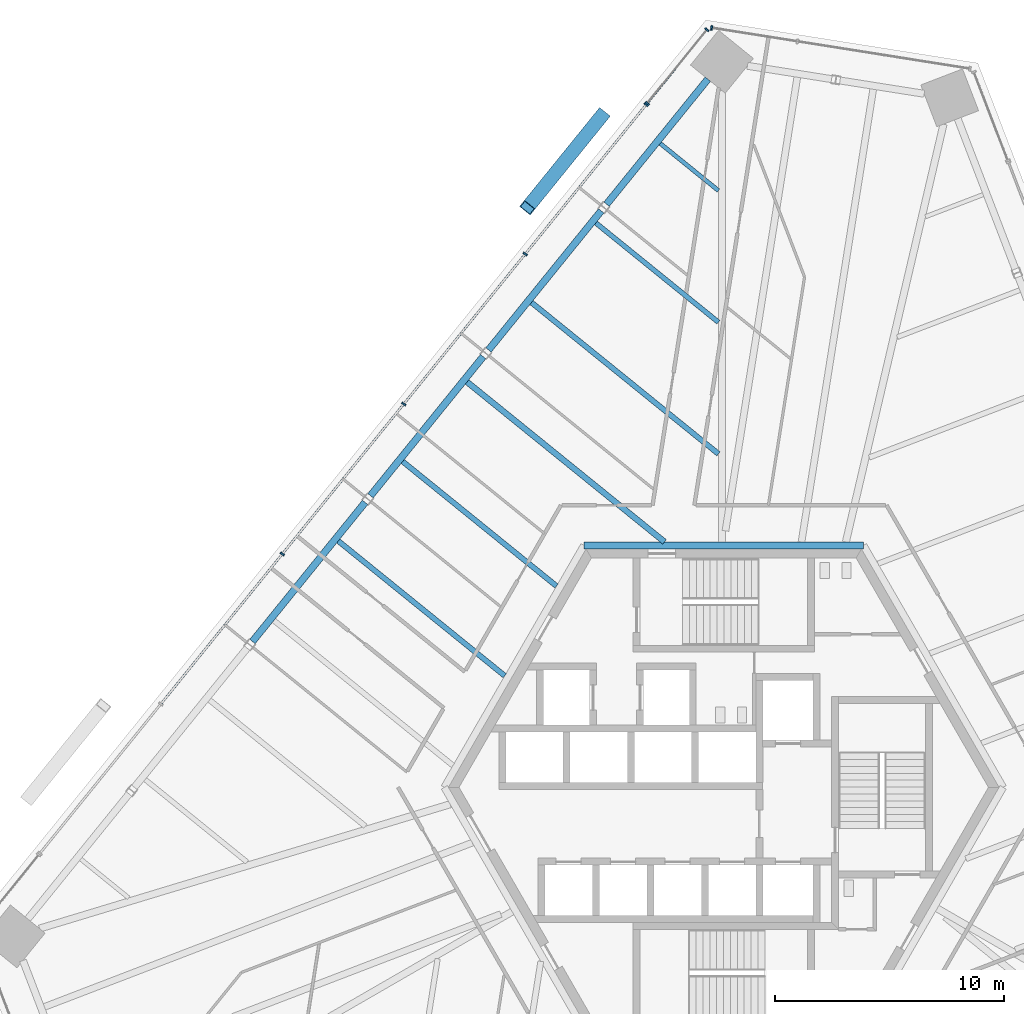
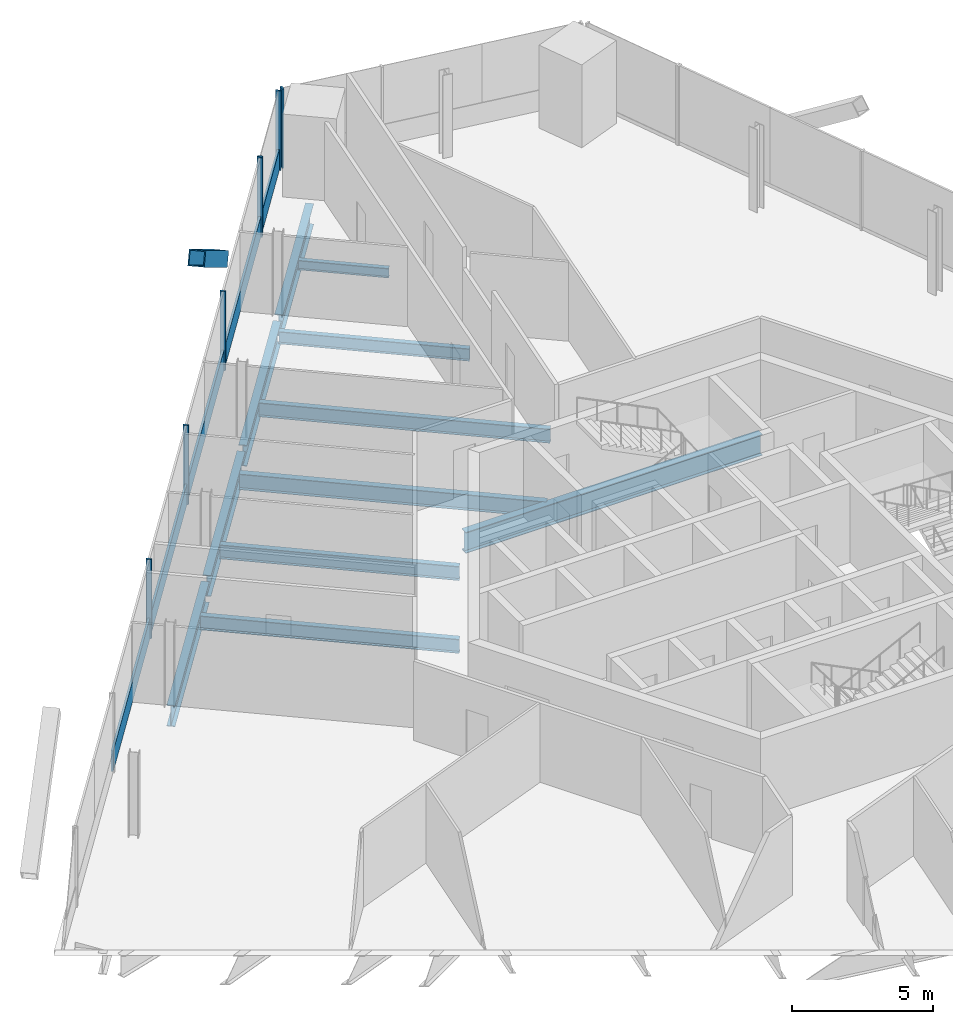
# One storey, part 8 of 19: 13 members, 11 beams, 3 elements without a shape of their own.
"""IFC4 building model written with IfcOpenShell, lengths in metres."""

import ifcopenshell
import ifcopenshell.guid

model = None  # the IFC model being written
_history = None  # IfcOwnerHistory: only IFC2X3 demands one
_inside = {}  # id of a spatial element -> (the spatial element, [elements in it])
_under = {}  # id of a project, library or spatial element -> (it, [spatial elements below it])
_declared = {}  # id of a project -> (the project, [libraries it declares])
_typed = {}  # id of a type object -> (the type object, [elements of that type])
_made_of = {}  # id of a material, layer set ... -> (it, [elements and type objects made of it])


def new_model(schema):
    """Start an empty IFC model of exactly this schema.

    Asked for "IFC4X3", IfcOpenShell would pick the latest addendum, in which some entities
    have other attributes; the version numbers below select the first issue.
    IFC2X3 requires an IfcOwnerHistory on every rooted entity: one is made here for all.
    """
    global model, _history
    if schema == "IFC4X3":
        model = ifcopenshell.file(schema_version=(4, 3, 0, 0))
    else:
        model = ifcopenshell.file(schema=schema)
    _inside.clear()
    _under.clear()
    _declared.clear()
    _typed.clear()
    _made_of.clear()
    _history = None
    if model.schema == "IFC2X3":
        org = make("IfcOrganization", Name="unknown")
        user = make(
            "IfcPersonAndOrganization",
            ThePerson=make("IfcPerson", FamilyName="unknown"),
            TheOrganization=org,
        )
        app = make(
            "IfcApplication",
            ApplicationDeveloper=org,
            Version="unknown",
            ApplicationFullName="unknown",
            ApplicationIdentifier="unknown",
        )
        _history = make(
            "IfcOwnerHistory",
            OwningUser=user,
            OwningApplication=app,
            ChangeAction="ADDED",
            CreationDate=0,
        )
    return model


def make(cls, **values):
    """One entity of the class cls with the attributes given. An attribute that is None is left unset."""
    return model.create_entity(
        cls, **{name: value for name, value in values.items() if value is not None}
    )


def rooted(cls, **values):
    """An entity with a GlobalId (a new one), such as an element, a storey or a relation."""
    return make(cls, GlobalId=ifcopenshell.guid.new(), OwnerHistory=_history, **values)


def si_unit(unit_type, name, prefix=None):
    """IfcSIUnit, for example si_unit("LENGTHUNIT", "METRE", prefix="MILLI")."""
    return make("IfcSIUnit", UnitType=unit_type, Prefix=prefix, Name=name)


def assignment(units):
    """IfcUnitAssignment: the units of a project."""
    return None if units is None else make("IfcUnitAssignment", Units=units)


def point(xyz):
    """IfcCartesianPoint."""
    return None if xyz is None else make("IfcCartesianPoint", Coordinates=xyz)


def direction(xyz):
    """IfcDirection."""
    return None if xyz is None else make("IfcDirection", DirectionRatios=xyz)


def frame(location, z_axis=None, x_axis=None):
    """IfcAxis2Placement3D, a coordinate frame: its origin and axes. An axis left out is left unset."""
    return make(
        "IfcAxis2Placement3D",
        Location=point(location),
        Axis=direction(z_axis),
        RefDirection=direction(x_axis),
    )


def frame_2d(location, x_axis=None):
    """IfcAxis2Placement2D, a coordinate frame in the plane: its origin and x axis."""
    return make(
        "IfcAxis2Placement2D", Location=point(location), RefDirection=direction(x_axis)
    )


def origin():
    """The frame at (0, 0, 0) with its axes left unset."""
    return frame((0.0, 0.0, 0.0))


def origin_2d():
    """The frame at (0, 0) in the plane with its x axis left unset."""
    return frame_2d((0.0, 0.0))


def place(relative_to, where):
    """IfcLocalPlacement: puts the frame where relative to a parent placement (None: the world)."""
    return make(
        "IfcLocalPlacement", PlacementRelTo=relative_to, RelativePlacement=where
    )


def context(
    kind, dimensions, precision=None, world=None, true_north=None, identifier=None
):
    """IfcGeometricRepresentationContext, for example the 3D "Model" context."""
    return make(
        "IfcGeometricRepresentationContext",
        ContextIdentifier=identifier,
        ContextType=kind,
        CoordinateSpaceDimension=dimensions,
        Precision=precision,
        WorldCoordinateSystem=world,
        TrueNorth=true_north,
    )


def subcontext(parent, identifier, kind, view, scale=None):
    """IfcGeometricRepresentationSubContext, for example "Body" below "Model"."""
    return make(
        "IfcGeometricRepresentationSubContext",
        ContextIdentifier=identifier,
        ContextType=kind,
        ParentContext=parent,
        TargetScale=scale,
        TargetView=view,
    )


def project(units=None, contexts=None):
    """IfcProject with its units and contexts."""
    return rooted(
        "IfcProject",
        Name="project",
        RepresentationContexts=contexts,
        UnitsInContext=assignment(units),
    )


def spatial(cls, under=None, at=None, **own):
    """A site, building, storey or space (cls), placed at a placement, below another one or the project."""
    s = rooted(cls, ObjectPlacement=at, **own)
    if under is not None:
        _under.setdefault(under.id(), (under, []))[1].append(s)
    return s


def profile(cls, at=None, kind="AREA", **sizes):
    """A parametric profile (cls). Its sizes go by their IFC names, for example OverallWidth=200.0."""
    return make(cls, ProfileType=kind, Position=at, **sizes)


def rectangle(**sizes):
    """IfcRectangleProfileDef."""
    return profile("IfcRectangleProfileDef", **sizes)


def hollow_rectangle(**sizes):
    """IfcRectangleHollowProfileDef."""
    return profile("IfcRectangleHollowProfileDef", **sizes)


def i_section(**sizes):
    """IfcIShapeProfileDef."""
    return profile("IfcIShapeProfileDef", **sizes)


def extrude(swept, where, along, depth):
    """IfcExtrudedAreaSolid: the profile swept, set in the frame where, extruded along a direction by depth."""
    return make(
        "IfcExtrudedAreaSolid",
        SweptArea=swept,
        Position=where,
        ExtrudedDirection=direction(along),
        Depth=depth,
    )


def shape(context_of_items, identifier, shape_type, items):
    """IfcShapeRepresentation: the items that make up one representation, for example the "Body"."""
    return make(
        "IfcShapeRepresentation",
        ContextOfItems=context_of_items,
        RepresentationIdentifier=identifier,
        RepresentationType=shape_type,
        Items=items,
    )


def source(mapping_origin, context_of_items, identifier, shape_type, items):
    """IfcRepresentationMap: a shape defined once, which mapped items show again and again."""
    return make(
        "IfcRepresentationMap",
        MappingOrigin=mapping_origin,
        MappedRepresentation=shape(context_of_items, identifier, shape_type, items),
    )


def transform(
    local_origin,
    x_axis=None,
    y_axis=None,
    z_axis=None,
    scale=None,
    scale2=None,
    scale3=None,
    uniform=True,
):
    """IfcCartesianTransformationOperator3D, or its non-uniform kind. x_axis, y_axis, z_axis: its Axis1, 2, 3."""
    if uniform:
        return make(
            "IfcCartesianTransformationOperator3D",
            Axis1=direction(x_axis),
            Axis2=direction(y_axis),
            LocalOrigin=point(local_origin),
            Scale=scale,
            Axis3=direction(z_axis),
        )
    return make(
        "IfcCartesianTransformationOperator3DnonUniform",
        Axis1=direction(x_axis),
        Axis2=direction(y_axis),
        LocalOrigin=point(local_origin),
        Scale=scale,
        Axis3=direction(z_axis),
        Scale2=scale2,
        Scale3=scale3,
    )


def mapped(mapping_source, mapping_target):
    """IfcMappedItem: shows the shape of a source again, moved by a transform."""
    return make(
        "IfcMappedItem", MappingSource=mapping_source, MappingTarget=mapping_target
    )


def material(Name=None, Category=None):
    """IfcMaterial."""
    return make("IfcMaterial", Name=Name, Category=Category)


def material_profile(
    of_material, cross_section, Name=None, Category=None, Priority=None
):
    """IfcMaterialProfile: a cross section and its material."""
    return make(
        "IfcMaterialProfile",
        Name=Name,
        Material=of_material,
        Profile=cross_section,
        Priority=Priority,
        Category=Category,
    )


def profile_set(profiles, Name=None, composite=None):
    """IfcMaterialProfileSet."""
    return make(
        "IfcMaterialProfileSet",
        Name=Name,
        MaterialProfiles=profiles,
        CompositeProfile=composite,
    )


def made_of(thing, what):
    """Note that an element or type object is made of a material, layer set ...; save() writes the relation."""
    if what is not None:
        _made_of.setdefault(what.id(), (what, []))[1].append(thing)
    return thing


def type_object(cls, material=None, **own):
    """A type object (cls), such as IfcWallType, which elements share."""
    return made_of(rooted(cls, **own), material)


def element(
    cls,
    number,
    at=None,
    inside=None,
    cuts=None,
    type_object=None,
    material=None,
    context=None,
    identifier="Body",
    shape_type=None,
    held_by="IfcProductDefinitionShape",
    body=None,
    shapes=None,
    **own,
):
    """One element of the class cls, such as IfcWall. Its Tag is "e" and its number.

    at: its placement. inside: the storey or other place that contains it. cuts: it is an
    opening in that element (IfcRelVoidsElement). A single representation is given by context,
    identifier, shape_type and body (its items); several are given by shapes. held_by: the class
    of the entity that holds the representations. save() writes the other relations.
    """
    e = rooted(cls, Tag="e%d" % number, ObjectPlacement=at, **own)
    if body is not None:
        shapes = [shape(context, identifier, shape_type, body)]
    if shapes is not None:
        e.Representation = make(held_by, Representations=shapes)
    if inside is not None:
        _inside.setdefault(inside.id(), (inside, []))[1].append(e)
    if cuts is not None:
        rooted(
            "IfcRelVoidsElement", RelatingBuildingElement=cuts, RelatedOpeningElement=e
        )
    if type_object is not None:
        _typed.setdefault(type_object.id(), (type_object, []))[1].append(e)
    return made_of(e, material)


def aggregate(whole, parts):
    """IfcRelAggregates: a whole, such as a stair, and the parts it consists of."""
    return rooted("IfcRelAggregates", RelatingObject=whole, RelatedObjects=parts)


def save(model, path):
    """Write the relations noted so far, then the file.

    IfcRelAggregates (storeys below a building ...), IfcRelContainedInSpatialStructure (elements
    in a storey), IfcRelDefinesByType, IfcRelAssociatesMaterial and IfcRelDeclares: one each for
    every whole, place, type object, material and project.
    """
    for whole, parts in _under.values():
        aggregate(whole, parts)
    for where, things in _inside.values():
        rooted(
            "IfcRelContainedInSpatialStructure",
            RelatedElements=things,
            RelatingStructure=where,
        )
    for kind, things in _typed.values():
        rooted("IfcRelDefinesByType", RelatedObjects=things, RelatingType=kind)
    for what, things in _made_of.values():
        rooted("IfcRelAssociatesMaterial", RelatedObjects=things, RelatingMaterial=what)
    for by, libraries in _declared.values():
        rooted("IfcRelDeclares", RelatingContext=by, RelatedDefinitions=libraries)
    model.write(path)


model = new_model("IFC4")

# Units and contexts
model_context = context("Model", 3, precision=1e-05, world=origin(), true_north=direction((0.0, 1.0)))
body_context = subcontext(model_context, "Body", "Model", "MODEL_VIEW")
ifc_project = project(units=[si_unit("LENGTHUNIT", "METRE"), si_unit("AREAUNIT", "SQUARE_METRE"), si_unit("VOLUMEUNIT", "CUBIC_METRE"), si_unit("PLANEANGLEUNIT", "RADIAN"), si_unit("MASSUNIT", "GRAM", prefix="KILO")], contexts=[model_context])

# Site, building, storey
site_placement = place(None, origin())
site = spatial("IfcSite", under=ifc_project, at=site_placement, CompositionType="ELEMENT")
building_placement = place(site_placement, origin())
building = spatial("IfcBuilding", under=site, at=building_placement, Name="Triune Harvest Tower", CompositionType="ELEMENT")
storey_placement = place(building_placement, frame((0.0, 0.0, 142.5)))
storey = spatial("IfcBuildingStorey", under=building, at=storey_placement, Name="L36", CompositionType="ELEMENT", Elevation=142.5)

# Beams
ifc_material_1 = material(Name="Steel ASTM A992 Gr 50", Category="steel")
ifc_material_profile_1 = material_profile(ifc_material_1, i_section(OverallWidth=0.3046875, OverallDepth=0.914306640625, WebThickness=0.0166015625, FlangeThickness=0.02587890625, at=origin_2d()), Name="W36x160")
ifc_profile_set_1 = profile_set([ifc_material_profile_1], Name="Steel ASTM A992 Gr 50")
beam_type_1 = type_object("IfcBeamType", Name="CG-1 Core ring girder W36x160", PredefinedType="BEAM", material=ifc_profile_set_1)
shared_shape_1 = source(origin(), body_context, "Body", "SweptSolid", [
    extrude(i_section(OverallWidth=0.3046875, OverallDepth=0.914306640625, WebThickness=0.0166015625, FlangeThickness=0.02587890625, at=origin_2d()), origin(), (0.0, 0.0, 1.0), 12.17578125),
])
beam_1_placement = place(storey_placement, frame((6.087890625, 10.544677734375, -0.6171875), z_axis=(-1.0, 0.0, 0.0), x_axis=(0.0, -1.0, 0.0)))
element("IfcBeam", 1, at=beam_1_placement, inside=storey, type_object=beam_type_1, Name="beam/L36/CG2", PredefinedType="BEAM", context=body_context, shape_type="MappedRepresentation", body=[
    mapped(shared_shape_1, transform((0.0, 0.0, 0.0), scale=1.0)),
])
ifc_material_2 = material(Name="Steel ASTM A992 Gr 50", Category="steel")
ifc_material_profile_2 = material_profile(ifc_material_2, i_section(OverallWidth=0.3046875, OverallDepth=0.914306640625, WebThickness=0.0166015625, FlangeThickness=0.02587890625, at=origin_2d()), Name="W36x160")
ifc_profile_set_2 = profile_set([ifc_material_profile_2], Name="Steel ASTM A992 Gr 50")
beam_type_2 = type_object("IfcBeamType", Name="SB-1 Spandrel beam W36x160", PredefinedType="SPANDREL", material=ifc_profile_set_2)
shared_shape_2 = source(origin(), body_context, "Body", "SweptSolid", [
    extrude(i_section(OverallWidth=0.3046875, OverallDepth=0.914306640625, WebThickness=0.0166015625, FlangeThickness=0.02587890625, at=origin_2d()), origin(), (0.0, 0.0, 1.0), 7.013427734375),
])
beam_2_placement = place(storey_placement, frame((-0.69287109375, 30.8642578125, -0.6171875), z_axis=(-0.629311381255, -0.777153257358, 0.0), x_axis=(0.777153257358, -0.629311381255, 0.0)))
element("IfcBeam", 2, at=beam_2_placement, inside=storey, type_object=beam_type_2, Name="beam/L36/SB9", PredefinedType="SPANDREL", context=body_context, shape_type="MappedRepresentation", body=[
    mapped(shared_shape_2, transform((0.0, 0.0, 0.0), scale=1.0)),
])
shared_shape_3 = source(origin(), body_context, "Body", "SweptSolid", [
    extrude(i_section(OverallWidth=0.3046875, OverallDepth=0.914306640625, WebThickness=0.0166015625, FlangeThickness=0.02587890625, at=origin_2d()), origin(), (0.0, 0.0, 1.0), 7.801513671875),
])
for number, where, z_axis, x_axis, name in (
    (3, (-5.34130859375, 25.12353515625, -0.6171875), (-0.629351256413, -0.777120966163, 0.0), (0.777120966163, -0.629351256413, 0.0), "beam/L36/SB10"),
    (4, (-10.486083984375, 18.7705078125, -0.6171875), (-0.629317051779, -0.777148665533, 0.0), (0.777148665533, -0.629317051779, 0.0), "beam/L36/SB11"),
    (5, (-15.630859375, 12.417236328125, -0.6171875), (-0.629317051779, -0.777148665533, 0.0), (0.777148665533, -0.629317051779, 0.0), "beam/L36/SB12"),
):
    element("IfcBeam", number, at=place(storey_placement, frame(where, z_axis=z_axis, x_axis=x_axis)), inside=storey, type_object=beam_type_2, Name=name, PredefinedType="SPANDREL", context=body_context, shape_type="MappedRepresentation", body=[
        mapped(shared_shape_3, transform((0.0, 0.0, 0.0), scale=1.0)),
    ])
ifc_material_3 = material(Name="Steel ASTM A992 Gr 50", Category="steel")
ifc_material_profile_3 = material_profile(ifc_material_3, i_section(OverallWidth=0.22900390625, OverallDepth=0.612060546875, WebThickness=0.011962890625, FlangeThickness=0.01953125, at=origin_2d()), Name="W24x84")
ifc_profile_set_3 = profile_set([ifc_material_profile_3], Name="Steel ASTM A992 Gr 50")
beam_type_3 = type_object("IfcBeamType", Name="JT-3 Floor joist W24x84", PredefinedType="JOIST", material=ifc_profile_set_3)
shared_shape_4 = source(origin(), body_context, "Body", "SweptSolid", [
    extrude(i_section(OverallWidth=0.22900390625, OverallDepth=0.612060546875, WebThickness=0.011962890625, FlangeThickness=0.01953125, at=origin_2d()), origin(), (0.0, 0.0, 1.0), 10.482666015625),
])
beam_3_placement = place(storey_placement, frame((-8.37939453125, 21.1298828125, -0.466064453125), z_axis=(0.777144521909, -0.62932216874, 0.0), x_axis=(0.62932216874, 0.777144521909, 0.0)))
element("IfcBeam", 6, at=beam_3_placement, inside=storey, type_object=beam_type_3, Name="beam/L36/JT15", PredefinedType="JOIST", context=body_context, shape_type="MappedRepresentation", body=[
    mapped(shared_shape_4, transform((0.0, 0.0, 0.0), scale=1.0)),
])
ifc_material_4 = material(Name="Steel ASTM A992 Gr 50", Category="steel")
ifc_material_profile_4 = material_profile(ifc_material_4, i_section(OverallWidth=0.180908203125, OverallDepth=0.41650390625, WebThickness=0.010986328125, FlangeThickness=0.01806640625, at=origin_2d()), Name="W16x57")
ifc_profile_set_4 = profile_set([ifc_material_profile_4], Name="Steel ASTM A992 Gr 50")
beam_type_4 = type_object("IfcBeamType", Name="JT-1 Floor joist W16x57", PredefinedType="JOIST", material=ifc_profile_set_4)
shared_shape_5 = source(origin(), body_context, "Body", "SweptSolid", [
    extrude(i_section(OverallWidth=0.180908203125, OverallDepth=0.41650390625, WebThickness=0.010986328125, FlangeThickness=0.01806640625, at=origin_2d()), origin(), (0.0, 0.0, 1.0), 3.2607421875),
])
beam_4_placement = place(storey_placement, frame((-2.76708984375, 28.060546875, -0.368408203125), z_axis=(0.777166403411, -0.6292951465, 0.0), x_axis=(0.6292951465, 0.777166403411, 0.0)))
element("IfcBeam", 7, at=beam_4_placement, inside=storey, type_object=beam_type_4, Name="beam/L36/JT13", PredefinedType="JOIST", context=body_context, shape_type="MappedRepresentation", body=[
    mapped(shared_shape_5, transform((0.0, 0.0, 0.0), scale=1.0)),
])
ifc_material_5 = material(Name="Steel ASTM A992 Gr 50", Category="steel")
ifc_material_profile_5 = material_profile(ifc_material_5, i_section(OverallWidth=0.2099609375, OverallDepth=0.535888671875, WebThickness=0.010986328125, FlangeThickness=0.017333984375, at=origin_2d()), Name="W21x68")
ifc_profile_set_5 = profile_set([ifc_material_profile_5], Name="Steel ASTM A992 Gr 50")
beam_type_5 = type_object("IfcBeamType", Name="JT-2 Floor joist W21x68", PredefinedType="JOIST", material=ifc_profile_set_5)
shared_shape_6 = source(origin(), body_context, "Body", "SweptSolid", [
    extrude(i_section(OverallWidth=0.2099609375, OverallDepth=0.535888671875, WebThickness=0.010986328125, FlangeThickness=0.017333984375, at=origin_2d()), origin(), (0.0, 0.0, 1.0), 6.87158203125),
])
beam_5_placement = place(storey_placement, frame((-5.572998046875, 24.59521484375, -0.427978515625), z_axis=(0.777135642445, -0.629333133755, 0.0), x_axis=(0.629333133755, 0.777135642445, 0.0)))
element("IfcBeam", 8, at=beam_5_placement, inside=storey, type_object=beam_type_5, Name="beam/L36/JT14", PredefinedType="JOIST", context=body_context, shape_type="MappedRepresentation", body=[
    mapped(shared_shape_6, transform((0.0, 0.0, 0.0), scale=1.0)),
])
ifc_material_6 = material(Name="Steel ASTM A992 Gr 50", Category="steel")
ifc_material_profile_6 = material_profile(ifc_material_6, i_section(OverallWidth=0.253662109375, OverallDepth=0.683349609375, WebThickness=0.012451171875, FlangeThickness=0.01904296875, at=origin_2d()), Name="W27x94")
ifc_profile_set_6 = profile_set([ifc_material_profile_6], Name="Steel ASTM A992 Gr 50")
beam_type_6 = type_object("IfcBeamType", Name="JT-4 Floor joist W27x94", PredefinedType="JOIST", material=ifc_profile_set_6)
shared_shape_7 = source(origin(), body_context, "Body", "SweptSolid", [
    extrude(i_section(OverallWidth=0.253662109375, OverallDepth=0.683349609375, WebThickness=0.012451171875, FlangeThickness=0.01904296875, at=origin_2d()), origin(), (0.0, 0.0, 1.0), 11.0712890625),
])
beam_6_placement = place(storey_placement, frame((-11.185546875, 17.66455078125, -0.501708984375), z_axis=(0.777139586487, -0.6293282634, 0.0), x_axis=(0.6293282634, 0.777139586487, 0.0)))
element("IfcBeam", 9, at=beam_6_placement, inside=storey, type_object=beam_type_6, Name="beam/L36/JT16", PredefinedType="JOIST", context=body_context, shape_type="MappedRepresentation", body=[
    mapped(shared_shape_7, transform((0.0, 0.0, 0.0), scale=1.0)),
])
shared_shape_8 = source(origin(), body_context, "Body", "SweptSolid", [
    extrude(i_section(OverallWidth=0.22900390625, OverallDepth=0.612060546875, WebThickness=0.011962890625, FlangeThickness=0.01953125, at=origin_2d()), origin(), (0.0, 0.0, 1.0), 8.6259765625),
])
beam_7_placement = place(storey_placement, frame((-13.99169921875, 14.19921875, -0.466064453125), z_axis=(0.777146653343, -0.629319536641, 0.0), x_axis=(0.629319536641, 0.777146653343, 0.0)))
element("IfcBeam", 10, at=beam_7_placement, inside=storey, type_object=beam_type_3, Name="beam/L36/JT17", PredefinedType="JOIST", context=body_context, shape_type="MappedRepresentation", body=[
    mapped(shared_shape_8, transform((0.0, 0.0, 0.0), scale=1.0)),
])
shared_shape_9 = source(origin(), body_context, "Body", "SweptSolid", [
    extrude(i_section(OverallWidth=0.22900390625, OverallDepth=0.612060546875, WebThickness=0.011962890625, FlangeThickness=0.01953125, at=origin_2d()), origin(), (0.0, 0.0, 1.0), 9.33251953125),
])
beam_8_placement = place(storey_placement, frame((-16.798095703125, 10.73388671875, -0.466064453125), z_axis=(0.777149214732, -0.629316373568, 0.0), x_axis=(0.629316373568, 0.777149214732, 0.0)))
element("IfcBeam", 11, at=beam_8_placement, inside=storey, type_object=beam_type_3, Name="beam/L36/JT18", PredefinedType="JOIST", context=body_context, shape_type="MappedRepresentation", body=[
    mapped(shared_shape_9, transform((0.0, 0.0, 0.0), scale=1.0)),
])

# Member
ifc_material_7 = material(Name="Steel ASTM A572 Gr 50", Category="steel")
ifc_material_profile_7 = material_profile(ifc_material_7, hollow_rectangle(XDim=0.60009765625, YDim=0.60009765625, WallThickness=0.0400390625, at=origin_2d()), Name="Box 600x600x40")
ifc_profile_set_7 = profile_set([ifc_material_profile_7], Name="Steel ASTM A572 Gr 50")
member_type_1 = type_object("IfcMemberType", Name="BR-2 Brace Box 600x600x40", PredefinedType="BRACE", material=ifc_profile_set_7)
shared_shape_10 = source(origin(), body_context, "Body", "SweptSolid", [
    extrude(hollow_rectangle(XDim=0.60009765625, YDim=0.60009765625, WallThickness=0.0400390625, at=origin_2d()), origin(), (0.0, 0.0, 1.0), 6.3291015625),
])
member_1_placement = place(storey_placement, frame((-5.28515625, 29.306640625, 0.0), z_axis=(-0.517590508098, -0.639176831062, 0.568817233002), x_axis=(0.777148746815, -0.629316951404, 0.0)))
element("IfcMember", 12, at=member_1_placement, inside=storey, type_object=member_type_1, Name="brace/B4-F3/d1/2", PredefinedType="BRACE", context=body_context, shape_type="MappedRepresentation", body=[
    mapped(shared_shape_10, transform((0.0, 0.0, 0.0), scale=1.0)),
])

# Curtain wall, member
ifc_material_8 = material(Name="Aluminium bronze anodised", Category="aluminium")
curtain_wall_type_1 = type_object("IfcCurtainWallType", Name="CW-1 Tower stick curtain wall", PredefinedType="NOTDEFINED", material=ifc_material_8)
curtain_wall_1_placement = place(storey_placement, origin())
curtain_wall_1 = element("IfcCurtainWall", 13, at=curtain_wall_1_placement, inside=storey, type_object=curtain_wall_type_1, Name="CW-1 B4-F2 L36 run 1")
ifc_material_9 = material(Name="Aluminium bronze anodised", Category="aluminium")
ifc_material_profile_8 = material_profile(ifc_material_9, rectangle(XDim=0.199951171875, YDim=0.074951171875, at=origin_2d()), Name="MU-1 mullion 75 x 200")
ifc_profile_set_8 = profile_set([ifc_material_profile_8], Name="Aluminium bronze anodised")
member_type_2 = type_object("IfcMemberType", Name="MU-1 mullion 75 x 200", PredefinedType="MULLION", material=ifc_profile_set_8)
shared_shape_11 = source(origin(), body_context, "Body", "SweptSolid", [
    extrude(rectangle(XDim=0.199951171875, YDim=0.074951171875, at=origin_2d()), origin(), (0.0, 0.0, 1.0), 3.43994140625),
])
member_2_placement = place(storey_placement, frame((-0.528076171875, 33.09912109375, 0.0), z_axis=(0.0, 0.0, 1.0), x_axis=(-0.156432728322, -0.987688615663, 0.0)))
member_2 = element("IfcMember", 14, at=member_2_placement, type_object=member_type_2, Name="CW-1 mullion B4-F2 1.4", PredefinedType="MULLION", context=body_context, shape_type="MappedRepresentation", body=[
    mapped(shared_shape_11, transform((0.0, 0.0, 0.0), scale=1.0)),
])
aggregate(curtain_wall_1, [member_2])

# Curtain wall, members
curtain_wall_2_placement = place(storey_placement, origin())
curtain_wall_2 = element("IfcCurtainWall", 15, at=curtain_wall_2_placement, inside=storey, type_object=curtain_wall_type_1, Name="CW-1 B4-F3 L36 run 1")
member_3_placement = place(storey_placement, frame((-0.734130859375, 33.02001953125, 0.0), z_axis=(0.0, 0.0, 1.0), x_axis=(0.777148997544, -0.629316641776, 0.0)))
member_3 = element("IfcMember", 16, at=member_3_placement, type_object=member_type_2, Name="CW-1 mullion B4-F3 1.1", PredefinedType="MULLION", context=body_context, shape_type="MappedRepresentation", body=[
    mapped(shared_shape_11, transform((0.0, 0.0, 0.0), scale=1.0)),
])
member_4_placement = place(storey_placement, frame((-3.333984375, 29.809326171875, 0.0), z_axis=(0.0, 0.0, 1.0), x_axis=(0.777148997544, -0.629316641776, 0.0)))
member_4 = element("IfcMember", 17, at=member_4_placement, type_object=member_type_2, Name="CW-1 mullion B4-F3 1.2", PredefinedType="MULLION", context=body_context, shape_type="MappedRepresentation", body=[
    mapped(shared_shape_11, transform((0.0, 0.0, 0.0), scale=1.0)),
])

ifc_material_10 = material(Name="Aluminium bronze anodised", Category="aluminium")
curtain_wall_type_2 = type_object("IfcCurtainWallType", Name="CW-7 Tower stick curtain wall with insulated spandrel infill", PredefinedType="NOTDEFINED", material=ifc_material_10)
curtain_wall_3_placement = place(storey_placement, origin())
curtain_wall_3 = element("IfcCurtainWall", 18, at=curtain_wall_3_placement, inside=storey, type_object=curtain_wall_type_2, Name="CW-7 B4-F3 L36 run 1001")
member_5_placement = place(storey_placement, frame((-3.381103515625, 29.751220703125, 0.0), z_axis=(0.0, 0.0, 1.0), x_axis=(0.77714431638, -0.629322422546, 0.0)))
member_5 = element("IfcMember", 19, at=member_5_placement, type_object=member_type_2, Name="CW-7 mullion B4-F3 1001.1", PredefinedType="MULLION", context=body_context, shape_type="MappedRepresentation", body=[
    mapped(shared_shape_11, transform((0.0, 0.0, 0.0), scale=1.0)),
])
member_6_placement = place(storey_placement, frame((-8.651611328125, 23.24267578125, 0.0), z_axis=(0.0, 0.0, 1.0), x_axis=(0.77714431638, -0.629322422546, 0.0)))
member_6 = element("IfcMember", 20, at=member_6_placement, type_object=member_type_2, Name="CW-7 mullion B4-F3 1001.3", PredefinedType="MULLION", context=body_context, shape_type="MappedRepresentation", body=[
    mapped(shared_shape_11, transform((0.0, 0.0, 0.0), scale=1.0)),
])
member_7_placement = place(storey_placement, frame((-13.945556640625, 16.705078125, 0.0), z_axis=(0.0, 0.0, 1.0), x_axis=(0.77714431638, -0.629322422546, 0.0)))
member_7 = element("IfcMember", 21, at=member_7_placement, type_object=member_type_2, Name="CW-7 mullion B4-F3 1001.5", PredefinedType="MULLION", context=body_context, shape_type="MappedRepresentation", body=[
    mapped(shared_shape_11, transform((0.0, 0.0, 0.0), scale=1.0)),
])
member_8_placement = place(storey_placement, frame((-19.239501953125, 10.167724609375, 0.0), z_axis=(0.0, 0.0, 1.0), x_axis=(0.77714431638, -0.629322422546, 0.0)))
member_8 = element("IfcMember", 22, at=member_8_placement, type_object=member_type_2, Name="CW-7 mullion B4-F3 1001.7", PredefinedType="MULLION", context=body_context, shape_type="MappedRepresentation", body=[
    mapped(shared_shape_11, transform((0.0, 0.0, 0.0), scale=1.0)),
])

# Member
ifc_material_11 = material(Name="Aluminium bronze anodised", Category="aluminium")
ifc_material_profile_9 = material_profile(ifc_material_11, rectangle(XDim=0.090087890625, YDim=0.89990234375, at=origin_2d()), Name="TR-1 transom 90 x 900")
ifc_profile_set_9 = profile_set([ifc_material_profile_9], Name="Aluminium bronze anodised")
member_type_3 = type_object("IfcMemberType", Name="TR-1 transom 90 x 900", PredefinedType="USERDEFINED", material=ifc_profile_set_9)
shared_shape_12 = source(origin(), body_context, "Body", "SweptSolid", [
    extrude(rectangle(XDim=0.090087890625, YDim=0.89990234375, at=origin_2d()), origin(), (0.0, 0.0, 1.0), 4.055908203125),
])
member_9_placement = place(storey_placement, frame((-0.7578125, 32.99072265625, 0.449951171875), z_axis=(-0.629315968505, -0.777149542742, 0.0), x_axis=(0.777149542742, -0.629315968505, 0.0)))
member_9 = element("IfcMember", 23, at=member_9_placement, type_object=member_type_3, Name="CW-1 transom B4-F3 1.1", ObjectType="TRANSOM", PredefinedType="USERDEFINED", context=body_context, shape_type="MappedRepresentation", body=[
    mapped(shared_shape_12, transform((0.0, 0.0, 0.0), scale=1.0)),
])

aggregate(curtain_wall_2, [member_3, member_4, member_9])

shared_shape_13 = source(origin(), body_context, "Body", "SweptSolid", [
    extrude(rectangle(XDim=0.090087890625, YDim=0.89990234375, at=origin_2d()), origin(), (0.0, 0.0, 1.0), 8.299560546875),
])
member_10_placement = place(storey_placement, frame((-3.40478515625, 29.721923828125, 0.449951171875), z_axis=(-0.629325998453, -0.777141420638, 0.0), x_axis=(0.777141420638, -0.629325998453, 0.0)))
member_10 = element("IfcMember", 24, at=member_10_placement, type_object=member_type_3, Name="CW-7 transom B4-F3 1001.1", ObjectType="TRANSOM", PredefinedType="USERDEFINED", context=body_context, shape_type="MappedRepresentation", body=[
    mapped(shared_shape_13, transform((0.0, 0.0, 0.0), scale=1.0)),
])

shared_shape_14 = source(origin(), body_context, "Body", "SweptSolid", [
    extrude(rectangle(XDim=0.090087890625, YDim=0.89990234375, at=origin_2d()), origin(), (0.0, 0.0, 1.0), 8.337158203125),
])
member_11_placement = place(storey_placement, frame((-8.675048828125, 23.213623046875, 0.449951171875), z_axis=(-0.629322894333, -0.777143934331, 0.0), x_axis=(0.777143934331, -0.629322894333, 0.0)))
member_11 = element("IfcMember", 25, at=member_11_placement, type_object=member_type_3, Name="CW-7 transom B4-F3 1001.2", ObjectType="TRANSOM", PredefinedType="USERDEFINED", context=body_context, shape_type="MappedRepresentation", body=[
    mapped(shared_shape_14, transform((0.0, 0.0, 0.0), scale=1.0)),
])

member_12_placement = place(storey_placement, frame((-13.96923828125, 16.676025390625, 0.449951171875), z_axis=(-0.629322894333, -0.777143934331, 0.0), x_axis=(0.777143934331, -0.629322894333, 0.0)))
member_12 = element("IfcMember", 26, at=member_12_placement, type_object=member_type_3, Name="CW-7 transom B4-F3 1001.3", ObjectType="TRANSOM", PredefinedType="USERDEFINED", context=body_context, shape_type="MappedRepresentation", body=[
    mapped(shared_shape_14, transform((0.0, 0.0, 0.0), scale=1.0)),
])

member_13_placement = place(storey_placement, frame((-19.26318359375, 10.138427734375, 0.449951171875), z_axis=(-0.629322894333, -0.777143934331, 0.0), x_axis=(0.777143934331, -0.629322894333, 0.0)))
member_13 = element("IfcMember", 27, at=member_13_placement, type_object=member_type_3, Name="CW-7 transom B4-F3 1001.4", ObjectType="TRANSOM", PredefinedType="USERDEFINED", context=body_context, shape_type="MappedRepresentation", body=[
    mapped(shared_shape_14, transform((0.0, 0.0, 0.0), scale=1.0)),
])

aggregate(curtain_wall_3, [member_5, member_6, member_7, member_8, member_10, member_11, member_12, member_13])

save(model, "model.ifc")
